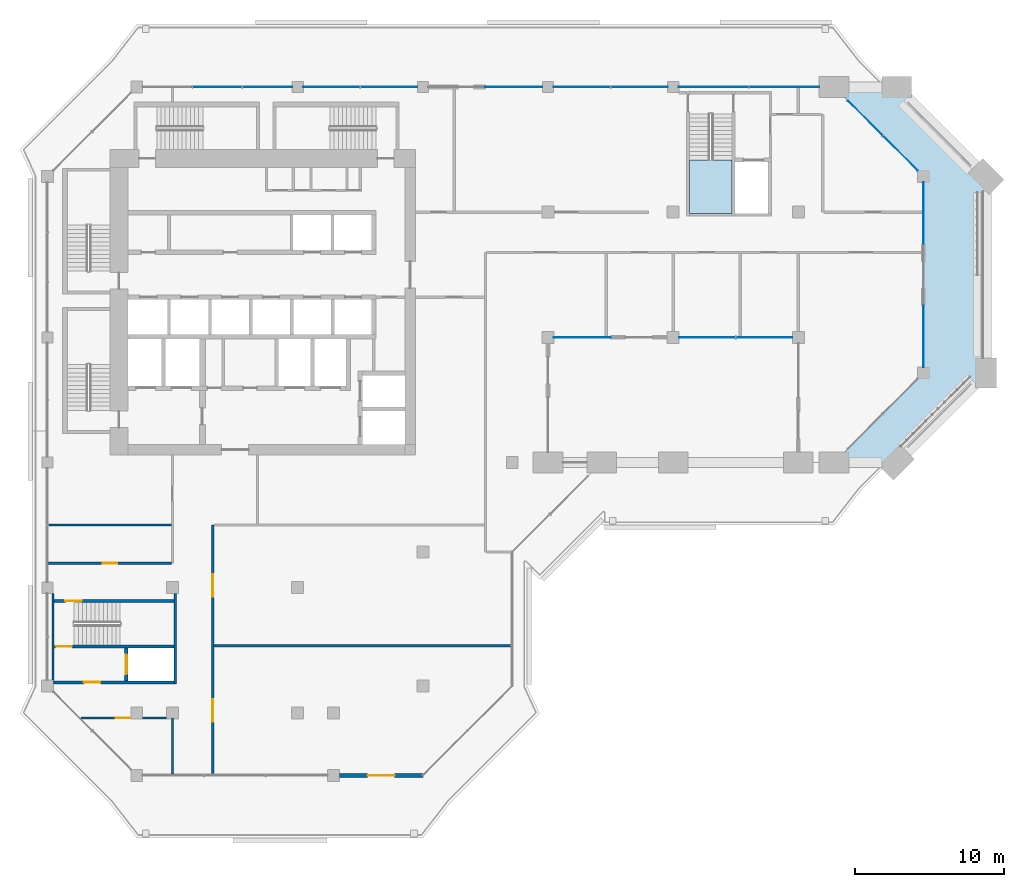
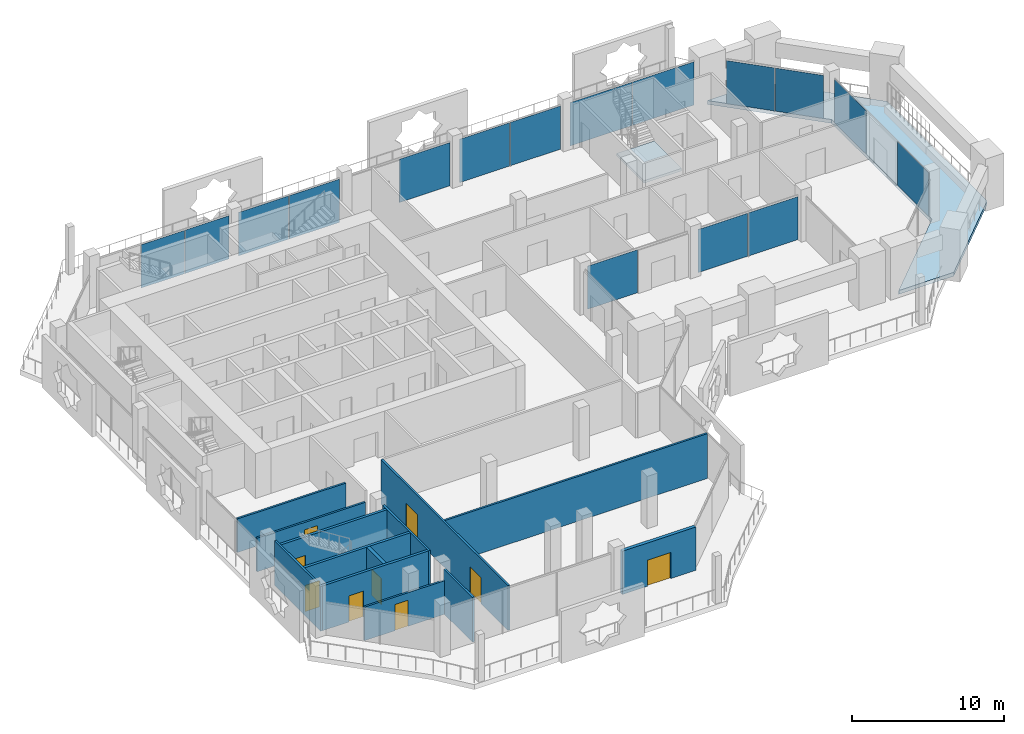
# One storey, part 10 of 20: 16 plates, 13 walls, 9 doors, 2 slabs, 9 openings, 5 elements without a shape of their own.
"""IFC4 building model written with IfcOpenShell, lengths in metres."""

import ifcopenshell
import ifcopenshell.guid

model = None  # the IFC model being written
_history = None  # IfcOwnerHistory: only IFC2X3 demands one
_inside = {}  # id of a spatial element -> (the spatial element, [elements in it])
_under = {}  # id of a project, library or spatial element -> (it, [spatial elements below it])
_declared = {}  # id of a project -> (the project, [libraries it declares])
_typed = {}  # id of a type object -> (the type object, [elements of that type])
_made_of = {}  # id of a material, layer set ... -> (it, [elements and type objects made of it])


def new_model(schema):
    """Start an empty IFC model of exactly this schema.

    Asked for "IFC4X3", IfcOpenShell would pick the latest addendum, in which some entities
    have other attributes; the version numbers below select the first issue.
    IFC2X3 requires an IfcOwnerHistory on every rooted entity: one is made here for all.
    """
    global model, _history
    if schema == "IFC4X3":
        model = ifcopenshell.file(schema_version=(4, 3, 0, 0))
    else:
        model = ifcopenshell.file(schema=schema)
    _inside.clear()
    _under.clear()
    _declared.clear()
    _typed.clear()
    _made_of.clear()
    _history = None
    if model.schema == "IFC2X3":
        org = make("IfcOrganization", Name="unknown")
        user = make(
            "IfcPersonAndOrganization",
            ThePerson=make("IfcPerson", FamilyName="unknown"),
            TheOrganization=org,
        )
        app = make(
            "IfcApplication",
            ApplicationDeveloper=org,
            Version="unknown",
            ApplicationFullName="unknown",
            ApplicationIdentifier="unknown",
        )
        _history = make(
            "IfcOwnerHistory",
            OwningUser=user,
            OwningApplication=app,
            ChangeAction="ADDED",
            CreationDate=0,
        )
    return model


def make(cls, **values):
    """One entity of the class cls with the attributes given. An attribute that is None is left unset."""
    return model.create_entity(
        cls, **{name: value for name, value in values.items() if value is not None}
    )


def rooted(cls, **values):
    """An entity with a GlobalId (a new one), such as an element, a storey or a relation."""
    return make(cls, GlobalId=ifcopenshell.guid.new(), OwnerHistory=_history, **values)


def si_unit(unit_type, name, prefix=None):
    """IfcSIUnit, for example si_unit("LENGTHUNIT", "METRE", prefix="MILLI")."""
    return make("IfcSIUnit", UnitType=unit_type, Prefix=prefix, Name=name)


def assignment(units):
    """IfcUnitAssignment: the units of a project."""
    return None if units is None else make("IfcUnitAssignment", Units=units)


def point(xyz):
    """IfcCartesianPoint."""
    return None if xyz is None else make("IfcCartesianPoint", Coordinates=xyz)


def direction(xyz):
    """IfcDirection."""
    return None if xyz is None else make("IfcDirection", DirectionRatios=xyz)


def frame(location, z_axis=None, x_axis=None):
    """IfcAxis2Placement3D, a coordinate frame: its origin and axes. An axis left out is left unset."""
    return make(
        "IfcAxis2Placement3D",
        Location=point(location),
        Axis=direction(z_axis),
        RefDirection=direction(x_axis),
    )


def frame_2d(location, x_axis=None):
    """IfcAxis2Placement2D, a coordinate frame in the plane: its origin and x axis."""
    return make(
        "IfcAxis2Placement2D", Location=point(location), RefDirection=direction(x_axis)
    )


def origin():
    """The frame at (0, 0, 0) with its axes left unset."""
    return frame((0.0, 0.0, 0.0))


def origin_2d():
    """The frame at (0, 0) in the plane with its x axis left unset."""
    return frame_2d((0.0, 0.0))


def place(relative_to, where):
    """IfcLocalPlacement: puts the frame where relative to a parent placement (None: the world)."""
    return make(
        "IfcLocalPlacement", PlacementRelTo=relative_to, RelativePlacement=where
    )


def context(
    kind, dimensions, precision=None, world=None, true_north=None, identifier=None
):
    """IfcGeometricRepresentationContext, for example the 3D "Model" context."""
    return make(
        "IfcGeometricRepresentationContext",
        ContextIdentifier=identifier,
        ContextType=kind,
        CoordinateSpaceDimension=dimensions,
        Precision=precision,
        WorldCoordinateSystem=world,
        TrueNorth=true_north,
    )


def subcontext(parent, identifier, kind, view, scale=None):
    """IfcGeometricRepresentationSubContext, for example "Body" below "Model"."""
    return make(
        "IfcGeometricRepresentationSubContext",
        ContextIdentifier=identifier,
        ContextType=kind,
        ParentContext=parent,
        TargetScale=scale,
        TargetView=view,
    )


def project(units=None, contexts=None):
    """IfcProject with its units and contexts."""
    return rooted(
        "IfcProject",
        Name="project",
        RepresentationContexts=contexts,
        UnitsInContext=assignment(units),
    )


def spatial(cls, under=None, at=None, **own):
    """A site, building, storey or space (cls), placed at a placement, below another one or the project."""
    s = rooted(cls, ObjectPlacement=at, **own)
    if under is not None:
        _under.setdefault(under.id(), (under, []))[1].append(s)
    return s


def polyline(points):
    """IfcPolyline through the points."""
    return make("IfcPolyline", Points=[point(p) for p in points])


def profile(cls, at=None, kind="AREA", **sizes):
    """A parametric profile (cls). Its sizes go by their IFC names, for example OverallWidth=200.0."""
    return make(cls, ProfileType=kind, Position=at, **sizes)


def rectangle(**sizes):
    """IfcRectangleProfileDef."""
    return profile("IfcRectangleProfileDef", **sizes)


def outline(outer, holes=None, kind="AREA"):
    """IfcArbitraryClosedProfileDef: a profile drawn as a closed curve; with holes, ...WithVoids."""
    if holes is None:
        return make("IfcArbitraryClosedProfileDef", ProfileType=kind, OuterCurve=outer)
    return make(
        "IfcArbitraryProfileDefWithVoids",
        ProfileType=kind,
        OuterCurve=outer,
        InnerCurves=holes,
    )


def extrude(swept, where, along, depth):
    """IfcExtrudedAreaSolid: the profile swept, set in the frame where, extruded along a direction by depth."""
    return make(
        "IfcExtrudedAreaSolid",
        SweptArea=swept,
        Position=where,
        ExtrudedDirection=direction(along),
        Depth=depth,
    )


def shape(context_of_items, identifier, shape_type, items):
    """IfcShapeRepresentation: the items that make up one representation, for example the "Body"."""
    return make(
        "IfcShapeRepresentation",
        ContextOfItems=context_of_items,
        RepresentationIdentifier=identifier,
        RepresentationType=shape_type,
        Items=items,
    )


def material(Name=None, Category=None):
    """IfcMaterial."""
    return make("IfcMaterial", Name=Name, Category=Category)


def layer(
    of_material, thickness, ventilated=None, Name=None, Category=None, Priority=None
):
    """IfcMaterialLayer: one layer of a wall or slab, of a material (None: an air gap)."""
    return make(
        "IfcMaterialLayer",
        Material=of_material,
        LayerThickness=thickness,
        IsVentilated=ventilated,
        Name=Name,
        Category=Category,
        Priority=Priority,
    )


def layer_set(layers, Name=None):
    """IfcMaterialLayerSet."""
    return make("IfcMaterialLayerSet", MaterialLayers=layers, LayerSetName=Name)


def made_of(thing, what):
    """Note that an element or type object is made of a material, layer set ...; save() writes the relation."""
    if what is not None:
        _made_of.setdefault(what.id(), (what, []))[1].append(thing)
    return thing


def type_object(cls, material=None, **own):
    """A type object (cls), such as IfcWallType, which elements share."""
    return made_of(rooted(cls, **own), material)


def element(
    cls,
    number,
    at=None,
    inside=None,
    cuts=None,
    type_object=None,
    material=None,
    context=None,
    identifier="Body",
    shape_type=None,
    held_by="IfcProductDefinitionShape",
    body=None,
    shapes=None,
    **own,
):
    """One element of the class cls, such as IfcWall. Its Tag is "e" and its number.

    at: its placement. inside: the storey or other place that contains it. cuts: it is an
    opening in that element (IfcRelVoidsElement). A single representation is given by context,
    identifier, shape_type and body (its items); several are given by shapes. held_by: the class
    of the entity that holds the representations. save() writes the other relations.
    """
    e = rooted(cls, Tag="e%d" % number, ObjectPlacement=at, **own)
    if body is not None:
        shapes = [shape(context, identifier, shape_type, body)]
    if shapes is not None:
        e.Representation = make(held_by, Representations=shapes)
    if inside is not None:
        _inside.setdefault(inside.id(), (inside, []))[1].append(e)
    if cuts is not None:
        rooted(
            "IfcRelVoidsElement", RelatingBuildingElement=cuts, RelatedOpeningElement=e
        )
    if type_object is not None:
        _typed.setdefault(type_object.id(), (type_object, []))[1].append(e)
    return made_of(e, material)


def fill(opening, filler):
    """IfcRelFillsElement: the door or window that sits in an opening."""
    return rooted(
        "IfcRelFillsElement",
        RelatingOpeningElement=opening,
        RelatedBuildingElement=filler,
    )


def aggregate(whole, parts):
    """IfcRelAggregates: a whole, such as a stair, and the parts it consists of."""
    return rooted("IfcRelAggregates", RelatingObject=whole, RelatedObjects=parts)


def save(model, path):
    """Write the relations noted so far, then the file.

    IfcRelAggregates (storeys below a building ...), IfcRelContainedInSpatialStructure (elements
    in a storey), IfcRelDefinesByType, IfcRelAssociatesMaterial and IfcRelDeclares: one each for
    every whole, place, type object, material and project.
    """
    for whole, parts in _under.values():
        aggregate(whole, parts)
    for where, things in _inside.values():
        rooted(
            "IfcRelContainedInSpatialStructure",
            RelatedElements=things,
            RelatingStructure=where,
        )
    for kind, things in _typed.values():
        rooted("IfcRelDefinesByType", RelatedObjects=things, RelatingType=kind)
    for what, things in _made_of.values():
        rooted("IfcRelAssociatesMaterial", RelatedObjects=things, RelatingMaterial=what)
    for by, libraries in _declared.values():
        rooted("IfcRelDeclares", RelatingContext=by, RelatedDefinitions=libraries)
    model.write(path)


model = new_model("IFC4")

# Units and contexts
model_context = context("Model", 3, precision=1e-05, world=origin(), true_north=direction((0.0, 1.0)))
body_context = subcontext(model_context, "Body", "Model", "MODEL_VIEW")
ifc_project = project(units=[si_unit("LENGTHUNIT", "METRE"), si_unit("AREAUNIT", "SQUARE_METRE"), si_unit("VOLUMEUNIT", "CUBIC_METRE"), si_unit("PLANEANGLEUNIT", "RADIAN"), si_unit("MASSUNIT", "GRAM", prefix="KILO")], contexts=[model_context])

# Site, building, storey
site_placement = place(None, origin())
site = spatial("IfcSite", under=ifc_project, at=site_placement, CompositionType="ELEMENT")
building_placement = place(site_placement, origin())
building = spatial("IfcBuilding", under=site, at=building_placement, Name="Kawkab Arch Medical Tower", CompositionType="ELEMENT")
storey_placement = place(building_placement, frame((0.0, 0.0, 277.60009765625)))
storey = spatial("IfcBuildingStorey", under=building, at=storey_placement, Name="L64", CompositionType="ELEMENT", Elevation=277.60009765625)

# Curtain wall, plates
ifc_material_1 = material(Name="Bronze anodised aluminium curtain wall frame", Category="aluminium")
ifc_layer_1 = layer(ifc_material_1, 0.159912109375)
ifc_layer_set_1 = layer_set([ifc_layer_1], Name="Bronze anodised aluminium curtain wall frame")
curtain_wall_type_1 = type_object("IfcCurtainWallType", Name="CW1 ward curtain wall", PredefinedType="NOTDEFINED", material=ifc_layer_set_1)
placement = place(storey_placement, origin())
curtain_wall_1 = element("IfcCurtainWall", 1, at=placement, inside=storey, type_object=curtain_wall_type_1, Name="CW1 Ward curtain wall R08", PredefinedType="NOTDEFINED")
ifc_material_2 = material(Name="Tinted insulating glass, bronze low-e coating", Category="glass")
ifc_layer_2 = layer(ifc_material_2, 0.031982421875)
ifc_layer_set_2 = layer_set([ifc_layer_2], Name="Tinted insulating glass, bronze low-e coating")
plate_type_1 = type_object("IfcPlateType", Name="CW1 glazing unit 32", PredefinedType="CURTAIN_PANEL", material=ifc_layer_set_2)
plate_1_placement = place(storey_placement, frame((58.800048828125, -16.7333984375, 0.0), z_axis=(0.0, 0.0, 1.0), x_axis=(0.0, 1.0, 0.0)))
plate_1 = element("IfcPlate", 2, at=plate_1_placement, type_object=plate_type_1, Name="CW1 glazing unit 1.1", PredefinedType="CURTAIN_PANEL", context=body_context, shape_type="SweptSolid", body=[
    extrude(rectangle(XDim=4.13330078125, YDim=0.031982421875, at=origin_2d()), origin(), (0.0, 0.0, 1.0), 3.47998046875),
])
plate_2_placement = place(storey_placement, frame((58.800048828125, -8.466552734375, 0.0), z_axis=(0.0, 0.0, 1.0), x_axis=(0.0, 1.0, 0.0)))
plate_2 = element("IfcPlate", 3, at=plate_2_placement, type_object=plate_type_1, Name="CW1 glazing unit 1.3", PredefinedType="CURTAIN_PANEL", context=body_context, shape_type="SweptSolid", body=[
    extrude(rectangle(XDim=4.13330078125, YDim=0.031982421875, at=origin_2d()), origin(), (0.0, 0.0, 1.0), 3.47998046875),
])
aggregate(curtain_wall_1, [plate_1, plate_2])

curtain_wall_2 = element("IfcCurtainWall", 4, at=placement, inside=storey, type_object=curtain_wall_type_1, Name="CW1 Ward curtain wall R10", PredefinedType="NOTDEFINED")
plate_3_placement = place(storey_placement, frame((49.458740234375, 0.0, 0.0), z_axis=(0.0, 0.0, 1.0), x_axis=(-1.0, 0.0, 0.0)))
plate_3 = element("IfcPlate", 5, at=plate_3_placement, type_object=plate_type_1, Name="CW1 glazing unit 1.1", PredefinedType="CURTAIN_PANEL", context=body_context, shape_type="SweptSolid", body=[
    extrude(rectangle(XDim=4.6826171875, YDim=0.031982421875, at=origin_2d()), origin(), (0.0, 0.0, 1.0), 3.47998046875),
])
plate_4_placement = place(storey_placement, frame((44.71630859375, 0.0, 0.0), z_axis=(0.0, 0.0, 1.0), x_axis=(-1.0, 0.0, 0.0)))
plate_4 = element("IfcPlate", 6, at=plate_4_placement, type_object=plate_type_1, Name="CW1 glazing unit 1.2", PredefinedType="CURTAIN_PANEL", context=body_context, shape_type="SweptSolid", body=[
    extrude(rectangle(XDim=4.6826171875, YDim=0.031982421875, at=origin_2d()), origin(), (0.0, 0.0, 1.0), 3.47998046875),
])
plate_5_placement = place(storey_placement, frame((39.7275390625, 0.0, 0.0), z_axis=(0.0, 0.0, 1.0), x_axis=(-1.0, 0.0, 0.0)))
plate_5 = element("IfcPlate", 7, at=plate_5_placement, type_object=plate_type_1, Name="CW1 glazing unit 2.1", PredefinedType="CURTAIN_PANEL", context=body_context, shape_type="SweptSolid", body=[
    extrude(rectangle(XDim=3.794921875, YDim=0.031982421875, at=origin_2d()), origin(), (0.0, 0.0, 1.0), 3.47998046875),
])
plate_6_placement = place(storey_placement, frame((35.87255859375, 0.0, 0.0), z_axis=(0.0, 0.0, 1.0), x_axis=(-1.0, 0.0, 0.0)))
plate_6 = element("IfcPlate", 8, at=plate_6_placement, type_object=plate_type_1, Name="CW1 glazing unit 2.2", PredefinedType="CURTAIN_PANEL", context=body_context, shape_type="SweptSolid", body=[
    extrude(rectangle(XDim=3.794921875, YDim=0.031982421875, at=origin_2d()), origin(), (0.0, 0.0, 1.0), 3.47998046875),
])
plate_7_placement = place(storey_placement, frame((31.3125, 0.0, 0.0), z_axis=(0.0, 0.0, 1.0), x_axis=(-1.0, 0.0, 0.0)))
plate_7 = element("IfcPlate", 9, at=plate_7_placement, type_object=plate_type_1, Name="CW1 glazing unit 3.1", PredefinedType="CURTAIN_PANEL", context=body_context, shape_type="SweptSolid", body=[
    extrude(rectangle(XDim=3.824951171875, YDim=0.031982421875, at=origin_2d()), origin(), (0.0, 0.0, 1.0), 3.47998046875),
])
plate_8_placement = place(storey_placement, frame((22.927490234375, 0.0, 0.0), z_axis=(0.0, 0.0, 1.0), x_axis=(-1.0, 0.0, 0.0)))
plate_8 = element("IfcPlate", 10, at=plate_8_placement, type_object=plate_type_1, Name="CW1 glazing unit 4.1", PredefinedType="CURTAIN_PANEL", context=body_context, shape_type="SweptSolid", body=[
    extrude(rectangle(XDim=3.794921875, YDim=0.031982421875, at=origin_2d()), origin(), (0.0, 0.0, 1.0), 3.47998046875),
])
plate_9_placement = place(storey_placement, frame((19.072509765625, 0.0, 0.0), z_axis=(0.0, 0.0, 1.0), x_axis=(-1.0, 0.0, 0.0)))
plate_9 = element("IfcPlate", 11, at=plate_9_placement, type_object=plate_type_1, Name="CW1 glazing unit 4.2", PredefinedType="CURTAIN_PANEL", context=body_context, shape_type="SweptSolid", body=[
    extrude(rectangle(XDim=3.794921875, YDim=0.031982421875, at=origin_2d()), origin(), (0.0, 0.0, 1.0), 3.47998046875),
])
plate_10_placement = place(storey_placement, frame((14.769287109375, 0.0, 0.0), z_axis=(0.0, 0.0, 1.0), x_axis=(-1.0, 0.0, 0.0)))
plate_10 = element("IfcPlate", 12, at=plate_10_placement, type_object=plate_type_1, Name="CW1 glazing unit 5.1", PredefinedType="CURTAIN_PANEL", context=body_context, shape_type="SweptSolid", body=[
    extrude(rectangle(XDim=3.311767578125, YDim=0.031982421875, at=origin_2d()), origin(), (0.0, 0.0, 1.0), 3.47998046875),
])
plate_11_placement = place(storey_placement, frame((11.41259765625, 0.0, 0.0), z_axis=(0.0, 0.0, 1.0), x_axis=(-1.0, 0.0, 0.0)))
plate_11 = element("IfcPlate", 13, at=plate_11_placement, type_object=plate_type_1, Name="CW1 glazing unit 5.2", PredefinedType="CURTAIN_PANEL", context=body_context, shape_type="SweptSolid", body=[
    extrude(rectangle(XDim=3.28173828125, YDim=0.031982421875, at=origin_2d()), origin(), (0.0, 0.0, 1.0), 3.47998046875),
])
aggregate(curtain_wall_2, [plate_3, plate_4, plate_5, plate_6, plate_7, plate_8, plate_9, plate_10, plate_11])

ifc_material_3 = material(Name="Bronze anodised aluminium curtain wall frame", Category="aluminium")
ifc_layer_3 = layer(ifc_material_3, 0.159912109375)
ifc_layer_set_3 = layer_set([ifc_layer_3], Name="Bronze anodised aluminium curtain wall frame")
curtain_wall_type_2 = type_object("IfcCurtainWallType", Name="CW2 chamfer curtain wall", PredefinedType="NOTDEFINED", material=ifc_layer_set_3)
curtain_wall_3 = element("IfcCurtainWall", 14, at=placement, inside=storey, type_object=curtain_wall_type_2, Name="CW2 Chamfer curtain wall R09", PredefinedType="NOTDEFINED")
ifc_material_4 = material(Name="Tinted insulating glass, bronze low-e coating", Category="glass")
ifc_layer_4 = layer(ifc_material_4, 0.031982421875)
ifc_layer_set_4 = layer_set([ifc_layer_4], Name="Tinted insulating glass, bronze low-e coating")
plate_type_2 = type_object("IfcPlateType", Name="CW2 glazing unit 32", PredefinedType="CURTAIN_PANEL", material=ifc_layer_set_4)
plate_12_placement = place(storey_placement, frame((57.2431640625, -4.443115234375, 0.0), z_axis=(0.0, 0.0, 1.0), x_axis=(-0.707106781187, 0.707106781187, 0.0)))
plate_12 = element("IfcPlate", 15, at=plate_12_placement, type_object=plate_type_2, Name="CW2 glazing unit 1.1", PredefinedType="CURTAIN_PANEL", context=body_context, shape_type="SweptSolid", body=[
    extrude(rectangle(XDim=3.27197265625, YDim=0.031982421875, at=origin_2d()), origin(), (0.0, 0.0, 1.0), 3.4599609375),
])
plate_13_placement = place(storey_placement, frame((54.88720703125, -2.087158203125, 0.0), z_axis=(0.0, 0.0, 1.0), x_axis=(-0.707106781187, 0.707106781187, 0.0)))
plate_13 = element("IfcPlate", 16, at=plate_13_placement, type_object=plate_type_2, Name="CW2 glazing unit 1.2", PredefinedType="CURTAIN_PANEL", context=body_context, shape_type="SweptSolid", body=[
    extrude(rectangle(XDim=3.27197265625, YDim=0.031982421875, at=origin_2d()), origin(), (0.0, 0.0, 1.0), 3.4599609375),
])
aggregate(curtain_wall_3, [plate_12, plate_13])

ifc_material_5 = material(Name="Bronze anodised aluminium curtain wall frame", Category="aluminium")
ifc_layer_5 = layer(ifc_material_5, 0.159912109375)
ifc_layer_set_5 = layer_set([ifc_layer_5], Name="Bronze anodised aluminium curtain wall frame")
curtain_wall_type_3 = type_object("IfcCurtainWallType", Name="CW3 sky garden curtain wall", PredefinedType="NOTDEFINED", material=ifc_layer_set_5)
curtain_wall_4 = element("IfcCurtainWall", 17, at=placement, inside=storey, type_object=curtain_wall_type_3, Name="CW3 Sky garden curtain wall R04", PredefinedType="NOTDEFINED")
ifc_material_6 = material(Name="Tinted laminated insulating glass, grey-green", Category="glass")
ifc_layer_6 = layer(ifc_material_6, 0.035888671875)
ifc_layer_set_6 = layer_set([ifc_layer_6], Name="Tinted laminated insulating glass, grey-green")
plate_type_3 = type_object("IfcPlateType", Name="CW3 glazing unit 36", PredefinedType="CURTAIN_PANEL", material=ifc_layer_set_6)
plate_14_placement = place(storey_placement, frame((35.89990234375, -16.800048828125, 0.0), z_axis=(0.0, 0.0, 1.0), x_axis=(1.0, 0.0, 0.0)))
plate_14 = element("IfcPlate", 18, at=plate_14_placement, type_object=plate_type_3, Name="CW3 glazing unit 1.1", PredefinedType="CURTAIN_PANEL", context=body_context, shape_type="SweptSolid", body=[
    extrude(rectangle(XDim=3.800048828125, YDim=0.035888671875, at=origin_2d()), origin(), (0.0, 0.0, 1.0), 3.4599609375),
])
plate_15_placement = place(storey_placement, frame((44.282470703125, -16.800048828125, 0.0), z_axis=(0.0, 0.0, 1.0), x_axis=(1.0, 0.0, 0.0)))
plate_15 = element("IfcPlate", 19, at=plate_15_placement, type_object=plate_type_3, Name="CW3 glazing unit 2.1", PredefinedType="CURTAIN_PANEL", context=body_context, shape_type="SweptSolid", body=[
    extrude(rectangle(XDim=3.764892578125, YDim=0.035888671875, at=origin_2d()), origin(), (0.0, 0.0, 1.0), 3.4599609375),
])
plate_16_placement = place(storey_placement, frame((48.117431640625, -16.800048828125, 0.0), z_axis=(0.0, 0.0, 1.0), x_axis=(1.0, 0.0, 0.0)))
plate_16 = element("IfcPlate", 20, at=plate_16_placement, type_object=plate_type_3, Name="CW3 glazing unit 2.2", PredefinedType="CURTAIN_PANEL", context=body_context, shape_type="SweptSolid", body=[
    extrude(rectangle(XDim=3.764892578125, YDim=0.035888671875, at=origin_2d()), origin(), (0.0, 0.0, 1.0), 3.4599609375),
])
aggregate(curtain_wall_4, [plate_14, plate_15, plate_16])

# Stair, slab
ifc_material_7 = material(Name="Concrete C40/50", Category="concrete")
stair_type = type_object("IfcStairType", Name="Exit stair 1350", PredefinedType="HALF_TURN_STAIR", material=ifc_material_7)
stair = element("IfcStair", 21, at=placement, inside=storey, type_object=stair_type, Name="L64 Exit stair ST5", PredefinedType="HALF_TURN_STAIR")
ifc_material_8 = material(Name="Concrete C40/50", Category="concrete")
ifc_layer_7 = layer(ifc_material_8, 0.199951171875)
ifc_layer_set_7 = layer_set([ifc_layer_7], Name="Concrete C40/50")
slab_type_1 = type_object("IfcSlabType", Name="Exit stair landing 200", PredefinedType="LANDING", material=ifc_layer_set_7)
slab_1_placement = place(storey_placement, frame((0.0, 0.0, 1.89990234375)))
slab_1 = element("IfcSlab", 22, at=slab_1_placement, type_object=slab_type_1, Name="ST5 landing 1", PredefinedType="LANDING", context=body_context, shape_type="SweptSolid", body=[
    extrude(outline(polyline([(43.10009765625, -4.8798828125), (43.10009765625, -8.5), (45.949951171875, -8.5), (45.949951171875, -4.8798828125), (43.10009765625, -4.8798828125)])), origin(), (0.0, 0.0, 1.0), 0.199951171875),
])
aggregate(stair, [slab_1])

# Slab
ifc_material_9 = material(Name="Concrete C40/50", Category="concrete")
ifc_layer_8 = layer(ifc_material_9, 0.300048828125)
ifc_layer_set_8 = layer_set([ifc_layer_8], Name="Concrete C40/50")
slab_type_2 = type_object("IfcSlabType", Name="Terrace slab 300", PredefinedType="FLOOR", material=ifc_layer_set_8)
slab_2_placement = place(storey_placement, frame((0.0, 0.0, -0.300048828125)))
element("IfcSlab", 23, at=slab_2_placement, inside=storey, type_object=slab_type_2, Name="Sky garden slab L64.1", PredefinedType="FLOOR", context=body_context, shape_type="SweptSolid", body=[
    extrude(outline(polyline([(56.998046875, 0.0), (56.9970703125, 0.0), (56.99609375, 0.0), (52.824951171875, 0.0), (52.823974609375, 0.0), (52.822998046875, 0.0), (52.822021484375, 0.0), (52.821044921875, -0.0009765625), (52.820068359375, -0.0009765625), (52.819091796875, -0.001953125), (52.818115234375, -0.0029296875), (52.81689453125, -0.00390625), (52.81591796875, -0.0048828125), (52.81591796875, -0.006103515625), (52.81494140625, -0.007080078125), (52.81494140625, -0.008056640625), (52.81494140625, -0.009033203125), (52.81494140625, -0.010009765625), (52.81494140625, -0.010986328125), (52.81494140625, -0.011962890625), (52.81494140625, -0.012939453125), (52.81591796875, -0.013916015625), (52.81591796875, -0.014892578125), (52.81689453125, -0.01611328125), (52.818115234375, -0.01708984375), (58.800048828125, -6.0), (58.800048828125, -19.199951171875), (52.818115234375, -25.18310546875), (52.81689453125, -25.18408203125), (52.81591796875, -25.18505859375), (52.81591796875, -25.18603515625), (52.81494140625, -25.18701171875), (52.81494140625, -25.18798828125), (52.81494140625, -25.18896484375), (52.81494140625, -25.18994140625), (52.81494140625, -25.19091796875), (52.81494140625, -25.19189453125), (52.81494140625, -25.193115234375), (52.81591796875, -25.194091796875), (52.81591796875, -25.195068359375), (52.81689453125, -25.196044921875), (52.818115234375, -25.197021484375), (52.819091796875, -25.197998046875), (52.820068359375, -25.198974609375), (52.821044921875, -25.198974609375), (52.822021484375, -25.199951171875), (52.822998046875, -25.199951171875), (52.823974609375, -25.199951171875), (52.824951171875, -25.199951171875), (56.99609375, -25.199951171875), (56.9970703125, -25.199951171875), (56.998046875, -25.199951171875), (56.9990234375, -25.199951171875), (57.0, -25.198974609375), (57.0009765625, -25.198974609375), (57.0009765625, -25.197998046875), (57.001953125, -25.197998046875), (57.0029296875, -25.197021484375), (62.9970703125, -19.202880859375), (62.998046875, -19.201904296875), (62.998046875, -19.200927734375), (62.9990234375, -19.200927734375), (62.9990234375, -19.199951171875), (63.0, -19.198974609375), (63.0, -19.197998046875), (63.0, -19.197021484375), (63.0, -19.196044921875), (63.0, -6.00390625), (63.0, -6.0029296875), (63.0, -6.001953125), (63.0, -6.0009765625), (62.9990234375, -6.0), (62.9990234375, -5.9990234375), (62.998046875, -5.9990234375), (62.998046875, -5.998046875), (62.9970703125, -5.9970703125), (57.0029296875, -0.0029296875), (57.001953125, -0.001953125), (57.0009765625, -0.001953125), (57.0009765625, -0.0009765625), (57.0, -0.0009765625), (56.9990234375, 0.0), (56.998046875, 0.0)])), origin(), (0.0, 0.0, 1.0), 0.300048828125),
])

# Wall, opening, door
ifc_material_10 = material(Name="Concrete C60/75", Category="concrete")
ifc_layer_9 = layer(ifc_material_10, 0.25)
ifc_layer_set_9 = layer_set([ifc_layer_9], Name="Concrete C60/75")
wall_type_1 = type_object("IfcWallType", Name="Core shear wall 250 C60/75", PredefinedType="SHEAR", material=ifc_layer_set_9)
wall_1_placement = place(storey_placement, frame((5.300048828125, -39.85009765625, 0.0), z_axis=(0.0, 0.0, 1.0), x_axis=(0.0, 1.0, 0.0)))
wall_1 = element("IfcWall", 24, at=wall_1_placement, inside=storey, type_object=wall_type_1, Name="L64 core shear wall", PredefinedType="SHEAR", context=body_context, shape_type="SweptSolid", body=[
    extrude(rectangle(XDim=2.2001953125, YDim=0.25, at=frame_2d((1.10009765625, 0.0))), origin(), (0.0, 0.0, 1.0), 3.599853515625),
])
opening_1_placement = place(wall_1_placement, frame((0.449951171875, 0.0, 0.0)))
opening_1 = element("IfcOpeningElement", 25, at=opening_1_placement, cuts=wall_1, Name="Opening LD2", PredefinedType="OPENING", context=body_context, shape_type="SweptSolid", body=[
    extrude(rectangle(XDim=1.300048828125, YDim=2.10009765625, at=frame_2d((0.64990234375, 1.050048828125))), frame((0.0, 0.135009765625, 0.0), z_axis=(0.0, -1.0, 0.0), x_axis=(1.0, 0.0, 0.0)), (0.0, 0.0, 1.0), 0.27001953125),
])
ifc_material_11 = material(Name="Stainless steel lift door leaf", Category="steel")
door_type_1 = type_object("IfcDoorType", Name="Lift landing door 1300", OperationType="DOUBLE_DOOR_SLIDING", PredefinedType="DOOR", material=ifc_material_11)
door_1_placement = place(opening_1_placement, origin())
door_1 = element("IfcDoor", 26, at=door_1_placement, inside=storey, type_object=door_type_1, Name="L64 Lift landing door SV2", OperationType="DOUBLE_DOOR_SLIDING", OverallHeight=2.10009765625, OverallWidth=1.300048828125, PredefinedType="DOOR", context=body_context, shape_type="SweptSolid", body=[
    extrude(rectangle(XDim=1.300048828125, YDim=2.10009765625, at=frame_2d((0.64990234375, 1.050048828125))), frame((0.0, 0.02490234375, 0.0), z_axis=(0.0, -1.0, 0.0), x_axis=(1.0, 0.0, 0.0)), (0.0, 0.0, 1.0), 0.050048828125),
])
fill(opening_1, door_1)

ifc_material_12 = material(Name="Bronze clad insulated wall panel")
ifc_layer_10 = layer(ifc_material_12, 0.25)
ifc_layer_set_10 = layer_set([ifc_layer_10], Name="Bronze clad insulated wall panel")
wall_type_2 = type_object("IfcWallType", Name="External wall bay 250", PredefinedType="SOLIDWALL", material=ifc_layer_set_10)
wall_2_placement = place(storey_placement, frame((19.60009765625, -46.199951171875, 0.0), z_axis=(0.0, 0.0, 1.0), x_axis=(1.0, 0.0, 0.0)))
wall_2 = element("IfcWall", 27, at=wall_2_placement, inside=storey, type_object=wall_type_2, Name="External wall bay L64.R14.2.1", PredefinedType="SOLIDWALL", context=body_context, shape_type="SweptSolid", body=[
    extrude(rectangle(XDim=5.599853515625, YDim=0.25, at=frame_2d((2.7998046875, 0.0))), origin(), (0.0, 0.0, 1.0), 3.47998046875),
])
opening_2_placement = place(wall_2_placement, frame((1.89990234375, 0.0, 0.0)))
opening_2 = element("IfcOpeningElement", 28, at=opening_2_placement, cuts=wall_2, Name="Opening B64-701", PredefinedType="OPENING", context=body_context, shape_type="SweptSolid", body=[
    extrude(rectangle(XDim=1.800048828125, YDim=2.10009765625, at=frame_2d((0.89990234375, 1.050048828125))), frame((0.0, 0.135009765625, 0.0), z_axis=(0.0, -1.0, 0.0), x_axis=(1.0, 0.0, 0.0)), (0.0, 0.0, 1.0), 0.27001953125),
])
ifc_material_13 = material(Name="Bronze anodised aluminium door with tinted glass", Category="aluminium")
door_type_2 = type_object("IfcDoorType", Name="Double external door 1800 x 2100", OperationType="DOUBLE_DOOR_SINGLE_SWING", PredefinedType="DOOR", material=ifc_material_13)
door_2_placement = place(opening_2_placement, origin())
door_2 = element("IfcDoor", 29, at=door_2_placement, inside=storey, type_object=door_type_2, Name="External door L64.R14.2.1", OperationType="DOUBLE_DOOR_SINGLE_SWING", OverallHeight=2.10009765625, OverallWidth=1.800048828125, PredefinedType="DOOR", context=body_context, shape_type="SweptSolid", body=[
    extrude(rectangle(XDim=1.800048828125, YDim=2.10009765625, at=frame_2d((0.89990234375, 1.050048828125))), frame((0.0, 0.02490234375, 0.0), z_axis=(0.0, -1.0, 0.0), x_axis=(1.0, 0.0, 0.0)), (0.0, 0.0, 1.0), 0.050048828125),
])
fill(opening_2, door_2)

ifc_material_14 = material(Name="Gypsum board partition on steel studs, mineral wool", Category="steel")
ifc_layer_11 = layer(ifc_material_14, 0.14990234375)
ifc_layer_set_11 = layer_set([ifc_layer_11], Name="Gypsum board partition on steel studs, mineral wool")
wall_type_3 = type_object("IfcWallType", Name="Partition 150", PredefinedType="PARTITIONING", material=ifc_layer_set_11)
wall_3_placement = place(storey_placement, frame((2.262939453125, -42.35009765625, 0.0), z_axis=(0.0, 0.0, 1.0), x_axis=(1.0, 0.0, 0.0)))
wall_3 = element("IfcWall", 30, at=wall_3_placement, inside=storey, type_object=wall_type_3, Name="Partition 150 w001", PredefinedType="PARTITIONING", context=body_context, shape_type="SweptSolid", body=[
    extrude(rectangle(XDim=6.06201171875, YDim=0.14990234375, at=frame_2d((3.031005859375, 0.0))), origin(), (0.0, 0.0, 1.0), 2.699951171875),
])
opening_3_placement = place(wall_3_placement, frame((2.31201171875, 0.0, 0.0)))
opening_3 = element("IfcOpeningElement", 31, at=opening_3_placement, cuts=wall_3, Name="Opening B64-015", PredefinedType="OPENING", context=body_context, shape_type="SweptSolid", body=[
    extrude(rectangle(XDim=1.0, YDim=2.10009765625, at=frame_2d((0.5, 1.050048828125))), frame((0.0, 0.0849609375, 0.0), z_axis=(0.0, -1.0, 0.0), x_axis=(1.0, 0.0, 0.0)), (0.0, 0.0, 1.0), 0.169921875),
])
ifc_material_15 = material(Name="Hollow metal door leaf")
door_type_3 = type_object("IfcDoorType", Name="Single door 1000x2100 FD30S", OperationType="NOTDEFINED", PredefinedType="DOOR", material=ifc_material_15)
door_3_placement = place(opening_3_placement, origin())
door_3 = element("IfcDoor", 32, at=door_3_placement, inside=storey, type_object=door_type_3, Name="Door B64-015", OperationType="SINGLE_SWING_LEFT", OverallHeight=2.10009765625, OverallWidth=1.0, PredefinedType="DOOR", context=body_context, shape_type="SweptSolid", body=[
    extrude(rectangle(XDim=1.0, YDim=2.10009765625, at=frame_2d((0.5, 1.050048828125))), frame((0.0, 0.02490234375, 0.0), z_axis=(0.0, -1.0, 0.0), x_axis=(1.0, 0.0, 0.0)), (0.0, 0.0, 1.0), 0.050048828125),
])
fill(opening_3, door_3)

# Wall
wall_4_placement = place(storey_placement, frame((11.175048828125, -37.5, 0.0), z_axis=(0.0, 0.0, 1.0), x_axis=(1.0, 0.0, 0.0)))
element("IfcWall", 33, at=wall_4_placement, inside=storey, type_object=wall_type_3, Name="Partition 150 w002", PredefinedType="PARTITIONING", context=body_context, shape_type="SweptSolid", body=[
    extrude(rectangle(XDim=19.945068359375, YDim=0.14990234375, at=frame_2d((9.97265625, 0.0))), origin(), (0.0, 0.0, 1.0), 3.599853515625),
])

# Wall, opening, door
wall_5_placement = place(storey_placement, frame((0.080078125, -31.95703125, 0.0), z_axis=(0.0, 0.0, 1.0), x_axis=(1.0, 0.0, 0.0)))
wall_5 = element("IfcWall", 34, at=wall_5_placement, inside=storey, type_object=wall_type_3, Name="Partition 150 w003", PredefinedType="PARTITIONING", context=body_context, shape_type="SweptSolid", body=[
    extrude(rectangle(XDim=8.244873046875, YDim=0.14990234375, at=frame_2d((4.12255859375, 0.0))), origin(), (0.0, 0.0, 1.0), 2.699951171875),
])
opening_4_placement = place(wall_5_placement, frame((3.6201171875, 0.0, 0.0)))
opening_4 = element("IfcOpeningElement", 35, at=opening_4_placement, cuts=wall_5, Name="Opening B64-014", PredefinedType="OPENING", context=body_context, shape_type="SweptSolid", body=[
    extrude(rectangle(XDim=1.0, YDim=2.10009765625, at=frame_2d((0.5, 1.050048828125))), frame((0.0, 0.0849609375, 0.0), z_axis=(0.0, -1.0, 0.0), x_axis=(1.0, 0.0, 0.0)), (0.0, 0.0, 1.0), 0.169921875),
])
door_4_placement = place(opening_4_placement, origin())
door_4 = element("IfcDoor", 36, at=door_4_placement, inside=storey, type_object=door_type_3, Name="Door B64-014", OperationType="SINGLE_SWING_LEFT", OverallHeight=2.10009765625, OverallWidth=1.0, PredefinedType="DOOR", context=body_context, shape_type="SweptSolid", body=[
    extrude(rectangle(XDim=1.0, YDim=2.10009765625, at=frame_2d((0.5, 1.050048828125))), frame((0.0, 0.02490234375, 0.0), z_axis=(0.0, -1.0, 0.0), x_axis=(1.0, 0.0, 0.0)), (0.0, 0.0, 1.0), 0.050048828125),
])
fill(opening_4, door_4)

# Walls
wall_6_placement = place(storey_placement, frame((0.080078125, -29.39990234375, 0.0), z_axis=(0.0, 0.0, 1.0), x_axis=(1.0, 0.0, 0.0)))
element("IfcWall", 37, at=wall_6_placement, inside=storey, type_object=wall_type_3, Name="Partition 150 w005", PredefinedType="PARTITIONING", context=body_context, shape_type="SweptSolid", body=[
    extrude(rectangle(XDim=8.244873046875, YDim=0.14990234375, at=frame_2d((4.12255859375, 0.0))), origin(), (0.0, 0.0, 1.0), 2.699951171875),
])
wall_7_placement = place(storey_placement, frame((8.39990234375, -46.1201171875, 0.0), z_axis=(0.0, 0.0, 1.0), x_axis=(0.0, 1.0, 0.0)))
element("IfcWall", 38, at=wall_7_placement, inside=storey, type_object=wall_type_3, Name="Partition 150 w013", PredefinedType="PARTITIONING", context=body_context, shape_type="SweptSolid", body=[
    extrude(rectangle(XDim=3.77001953125, YDim=0.14990234375, at=frame_2d((1.885009765625, 0.0))), origin(), (0.0, 0.0, 1.0), 3.599853515625),
])

# Wall, openings, doors
wall_8_placement = place(storey_placement, frame((11.10009765625, -46.1201171875, 0.0), z_axis=(0.0, 0.0, 1.0), x_axis=(0.0, 1.0, 0.0)))
wall_8 = element("IfcWall", 39, at=wall_8_placement, inside=storey, type_object=wall_type_3, Name="Partition 150 w016", PredefinedType="PARTITIONING", context=body_context, shape_type="SweptSolid", body=[
    extrude(rectangle(XDim=16.72021484375, YDim=0.14990234375, at=frame_2d((8.360107421875, 0.0))), origin(), (0.0, 0.0, 1.0), 3.599853515625),
])
opening_5_placement = place(wall_8_placement, frame((11.919921875, 0.0, 0.0)))
opening_5 = element("IfcOpeningElement", 40, at=opening_5_placement, cuts=wall_8, Name="Opening B64-003", PredefinedType="OPENING", context=body_context, shape_type="SweptSolid", body=[
    extrude(rectangle(XDim=1.5, YDim=2.10009765625, at=frame_2d((0.75, 1.050048828125))), frame((0.0, 0.0849609375, 0.0), z_axis=(0.0, -1.0, 0.0), x_axis=(1.0, 0.0, 0.0)), (0.0, 0.0, 1.0), 0.169921875),
])
opening_6_placement = place(wall_8_placement, frame((3.52001953125, 0.0, 0.0)))
opening_6 = element("IfcOpeningElement", 41, at=opening_6_placement, cuts=wall_8, Name="Opening B64-004", PredefinedType="OPENING", context=body_context, shape_type="SweptSolid", body=[
    extrude(rectangle(XDim=1.5, YDim=2.10009765625, at=frame_2d((0.75, 1.050048828125))), frame((0.0, 0.0849609375, 0.0), z_axis=(0.0, -1.0, 0.0), x_axis=(1.0, 0.0, 0.0)), (0.0, 0.0, 1.0), 0.169921875),
])
ifc_material_16 = material(Name="Hollow metal door leaf")
door_type_4 = type_object("IfcDoorType", Name="Double door 1500x2100 FD30S", OperationType="NOTDEFINED", PredefinedType="DOOR", material=ifc_material_16)
door_5_placement = place(opening_5_placement, origin())
door_5 = element("IfcDoor", 42, at=door_5_placement, inside=storey, type_object=door_type_4, Name="Door B64-003", OperationType="DOUBLE_DOOR_SINGLE_SWING", OverallHeight=2.10009765625, OverallWidth=1.5, PredefinedType="DOOR", context=body_context, shape_type="SweptSolid", body=[
    extrude(rectangle(XDim=1.5, YDim=2.10009765625, at=frame_2d((0.75, 1.050048828125))), frame((0.0, 0.02490234375, 0.0), z_axis=(0.0, -1.0, 0.0), x_axis=(1.0, 0.0, 0.0)), (0.0, 0.0, 1.0), 0.050048828125),
])
fill(opening_5, door_5)
door_6_placement = place(opening_6_placement, origin())
door_6 = element("IfcDoor", 43, at=door_6_placement, inside=storey, type_object=door_type_4, Name="Door B64-004", OperationType="DOUBLE_DOOR_SINGLE_SWING", OverallHeight=2.10009765625, OverallWidth=1.5, PredefinedType="DOOR", context=body_context, shape_type="SweptSolid", body=[
    extrude(rectangle(XDim=1.5, YDim=2.10009765625, at=frame_2d((0.75, 1.050048828125))), frame((0.0, 0.02490234375, 0.0), z_axis=(0.0, -1.0, 0.0), x_axis=(1.0, 0.0, 0.0)), (0.0, 0.0, 1.0), 0.050048828125),
])
fill(opening_6, door_6)

# Walls
ifc_material_17 = material(Name="Concrete C50/60", Category="concrete")
ifc_layer_12 = layer(ifc_material_17, 0.14990234375)
ifc_layer_set_12 = layer_set([ifc_layer_12], Name="Concrete C50/60")
wall_type_4 = type_object("IfcWallType", Name="Stair enclosure wall 150 C50/60", PredefinedType="SHEAR", material=ifc_layer_set_12)
wall_9_placement = place(storey_placement, frame((0.375, -40.050048828125, 0.0), z_axis=(0.0, 0.0, 1.0), x_axis=(0.0, 1.0, 0.0)))
element("IfcWall", 44, at=wall_9_placement, inside=storey, type_object=wall_type_4, Name="L64 stair enclosure wall", PredefinedType="SHEAR", context=body_context, shape_type="SweptSolid", body=[
    extrude(rectangle(XDim=6.074951171875, YDim=0.14990234375, at=frame_2d((3.03759765625, 0.0))), origin(), (0.0, 0.0, 1.0), 3.599853515625),
])
wall_10_placement = place(storey_placement, frame((8.574951171875, -40.050048828125, 0.0), z_axis=(0.0, 0.0, 1.0), x_axis=(0.0, 1.0, 0.0)))
element("IfcWall", 45, at=wall_10_placement, inside=storey, type_object=wall_type_4, Name="L64 stair enclosure wall", PredefinedType="SHEAR", context=body_context, shape_type="SweptSolid", body=[
    extrude(rectangle(XDim=6.050048828125, YDim=0.14990234375, at=frame_2d((3.02490234375, 0.0))), origin(), (0.0, 0.0, 1.0), 3.599853515625),
])

# Wall, opening, door
ifc_material_18 = material(Name="Concrete C50/60", Category="concrete")
ifc_layer_13 = layer(ifc_material_18, 0.199951171875)
ifc_layer_set_13 = layer_set([ifc_layer_13], Name="Concrete C50/60")
wall_type_5 = type_object("IfcWallType", Name="Stair enclosure wall 200 C50/60", PredefinedType="SHEAR", material=ifc_layer_set_13)
wall_11_placement = place(storey_placement, frame((0.449951171875, -34.5, 0.0), z_axis=(0.0, 0.0, 1.0), x_axis=(1.0, 0.0, 0.0)))
wall_11 = element("IfcWall", 46, at=wall_11_placement, inside=storey, type_object=wall_type_5, Name="L64 stair enclosure wall", PredefinedType="SHEAR", context=body_context, shape_type="SweptSolid", body=[
    extrude(rectangle(XDim=8.050048828125, YDim=0.199951171875, at=frame_2d((4.02490234375, 0.0))), origin(), (0.0, 0.0, 1.0), 3.599853515625),
])
opening_7_placement = place(wall_11_placement, frame((0.75, 0.0, 0.0)))
opening_7 = element("IfcOpeningElement", 47, at=opening_7_placement, cuts=wall_11, Name="Opening SD", PredefinedType="OPENING", context=body_context, shape_type="SweptSolid", body=[
    extrude(rectangle(XDim=1.10009765625, YDim=2.10009765625, at=frame_2d((0.550048828125, 1.050048828125))), frame((0.0, 0.10986328125, 0.0), z_axis=(0.0, -1.0, 0.0), x_axis=(1.0, 0.0, 0.0)), (0.0, 0.0, 1.0), 0.219970703125),
])
ifc_material_19 = material(Name="Hollow metal fire door leaf")
door_type_5 = type_object("IfcDoorType", Name="Exit stair door 1100", OperationType="SINGLE_SWING_LEFT", PredefinedType="DOOR", material=ifc_material_19)
door_7_placement = place(opening_7_placement, origin())
door_7 = element("IfcDoor", 48, at=door_7_placement, inside=storey, type_object=door_type_5, Name="L64 Exit stair ST6 door", OperationType="SINGLE_SWING_LEFT", OverallHeight=2.10009765625, OverallWidth=1.10009765625, PredefinedType="DOOR", context=body_context, shape_type="SweptSolid", body=[
    extrude(rectangle(XDim=1.10009765625, YDim=2.10009765625, at=frame_2d((0.550048828125, 1.050048828125))), frame((0.0, 0.02490234375, 0.0), z_axis=(0.0, -1.0, 0.0), x_axis=(1.0, 0.0, 0.0)), (0.0, 0.0, 1.0), 0.050048828125),
])
fill(opening_7, door_7)

wall_12_placement = place(storey_placement, frame((0.449951171875, -37.550048828125, 0.0), z_axis=(0.0, 0.0, 1.0), x_axis=(1.0, 0.0, 0.0)))
wall_12 = element("IfcWall", 49, at=wall_12_placement, inside=storey, type_object=wall_type_5, Name="L64 stair enclosure wall", PredefinedType="SHEAR", context=body_context, shape_type="SweptSolid", body=[
    extrude(rectangle(XDim=8.050048828125, YDim=0.199951171875, at=frame_2d((4.02490234375, 0.0))), origin(), (0.0, 0.0, 1.0), 3.599853515625),
])
opening_8_placement = place(wall_12_placement, frame((0.10009765625, 0.0, 0.0)))
opening_8 = element("IfcOpeningElement", 50, at=opening_8_placement, cuts=wall_12, Name="Opening SD", PredefinedType="OPENING", context=body_context, shape_type="SweptSolid", body=[
    extrude(rectangle(XDim=1.10009765625, YDim=2.10009765625, at=frame_2d((0.550048828125, 1.050048828125))), frame((0.0, 0.10986328125, 0.0), z_axis=(0.0, -1.0, 0.0), x_axis=(1.0, 0.0, 0.0)), (0.0, 0.0, 1.0), 0.219970703125),
])
door_8_placement = place(opening_8_placement, frame((1.10009765625, 0.0, 0.0), z_axis=(0.0, 0.0, 1.0), x_axis=(-1.0, 0.0, 0.0)))
door_8 = element("IfcDoor", 51, at=door_8_placement, inside=storey, type_object=door_type_5, Name="L64 Exit stair ST6 lobby door", OperationType="SINGLE_SWING_LEFT", OverallHeight=2.10009765625, OverallWidth=1.10009765625, PredefinedType="DOOR", context=body_context, shape_type="SweptSolid", body=[
    extrude(rectangle(XDim=1.10009765625, YDim=2.10009765625, at=frame_2d((0.550048828125, 1.050048828125))), frame((0.0, 0.02490234375, 0.0), z_axis=(0.0, -1.0, 0.0), x_axis=(1.0, 0.0, 0.0)), (0.0, 0.0, 1.0), 0.050048828125),
])
fill(opening_8, door_8)

wall_13_placement = place(storey_placement, frame((0.449951171875, -39.949951171875, 0.0), z_axis=(0.0, 0.0, 1.0), x_axis=(1.0, 0.0, 0.0)))
wall_13 = element("IfcWall", 52, at=wall_13_placement, inside=storey, type_object=wall_type_5, Name="L64 stair enclosure wall", PredefinedType="SHEAR", context=body_context, shape_type="SweptSolid", body=[
    extrude(rectangle(XDim=8.050048828125, YDim=0.199951171875, at=frame_2d((4.02490234375, 0.0))), origin(), (0.0, 0.0, 1.0), 3.599853515625),
])
opening_9_placement = place(wall_13_placement, frame((2.0, 0.0, 0.0)))
opening_9 = element("IfcOpeningElement", 53, at=opening_9_placement, cuts=wall_13, Name="Opening FD", PredefinedType="OPENING", context=body_context, shape_type="SweptSolid", body=[
    extrude(rectangle(XDim=1.10009765625, YDim=2.10009765625, at=frame_2d((0.550048828125, 1.050048828125))), frame((0.0, 0.10986328125, 0.0), z_axis=(0.0, -1.0, 0.0), x_axis=(1.0, 0.0, 0.0)), (0.0, 0.0, 1.0), 0.219970703125),
])
ifc_material_20 = material(Name="Hollow metal fire door leaf")
door_type_6 = type_object("IfcDoorType", Name="Firefighting lobby door 1100", OperationType="SINGLE_SWING_LEFT", PredefinedType="DOOR", material=ifc_material_20)
door_9_placement = place(opening_9_placement, origin())
door_9 = element("IfcDoor", 54, at=door_9_placement, inside=storey, type_object=door_type_6, Name="L64 Service lift lobby door SV2", OperationType="SINGLE_SWING_LEFT", OverallHeight=2.10009765625, OverallWidth=1.10009765625, PredefinedType="DOOR", context=body_context, shape_type="SweptSolid", body=[
    extrude(rectangle(XDim=1.10009765625, YDim=2.10009765625, at=frame_2d((0.550048828125, 1.050048828125))), frame((0.0, 0.02490234375, 0.0), z_axis=(0.0, -1.0, 0.0), x_axis=(1.0, 0.0, 0.0)), (0.0, 0.0, 1.0), 0.050048828125),
])
fill(opening_9, door_9)

save(model, "model.ifc")
